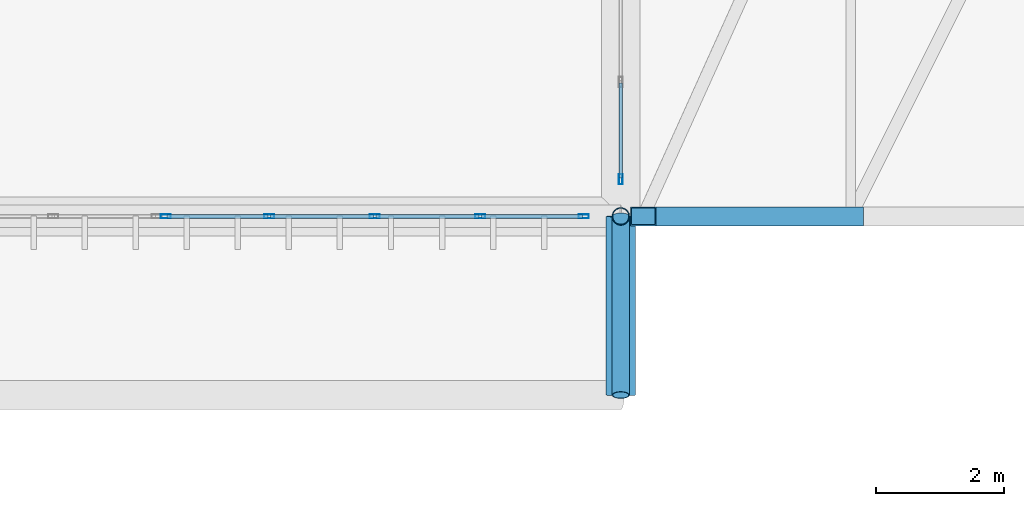
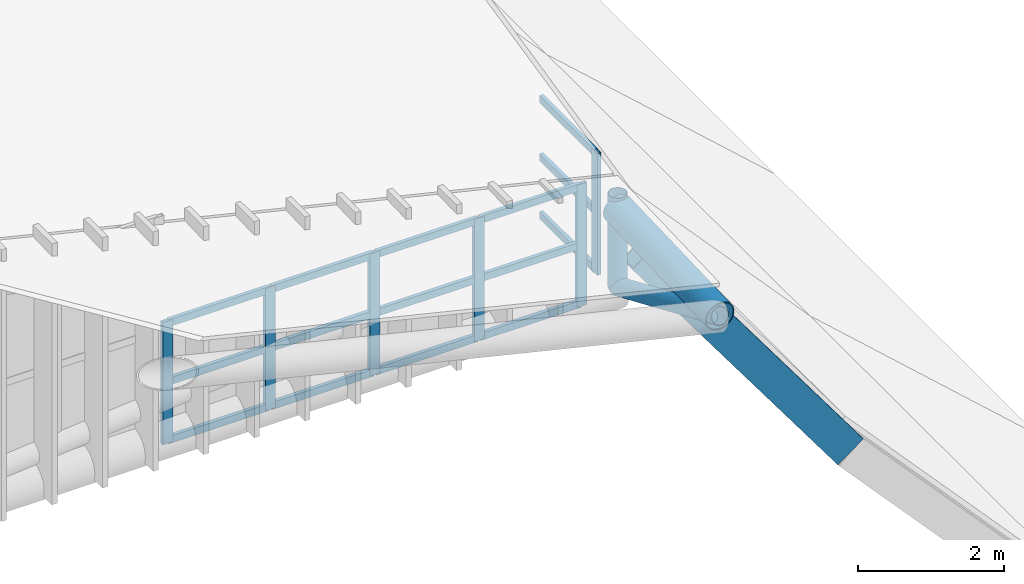
# One storey, part 115 of 397: 23 members, 2 beams, 2 elements without a shape of their own.
"""IFC4 building model written with IfcOpenShell, lengths in metres."""

from ifc_helpers import new_model, si_unit, direction, frame, origin, origin_2d, place, context, subcontext, project, spatial, hollow_rectangle, hollow_circle, extrude, material, material_profile, profile_set, type_object, element, aggregate, save


model = new_model("IFC4")

# Units and contexts
model_context = context("Model", 3, precision=1e-05, world=origin(), true_north=direction((0.0, 1.0)))
body_context = subcontext(model_context, "Body", "Model", "MODEL_VIEW")
ifc_project = project(units=[si_unit("LENGTHUNIT", "METRE"), si_unit("AREAUNIT", "SQUARE_METRE"), si_unit("VOLUMEUNIT", "CUBIC_METRE"), si_unit("PLANEANGLEUNIT", "RADIAN"), si_unit("MASSUNIT", "GRAM", prefix="KILO")], contexts=[model_context])

# Site, building, storey
site_placement = place(None, origin())
site = spatial("IfcSite", under=ifc_project, at=site_placement, CompositionType="ELEMENT")
building_placement = place(site_placement, origin())
building = spatial("IfcBuilding", under=site, at=building_placement, Name="Qandorah Velis Arena", CompositionType="ELEMENT")
storey_placement = place(building_placement, frame((0.0, 0.0, 27.5)))
storey = spatial("IfcBuildingStorey", under=building, at=storey_placement, Name="RF", CompositionType="ELEMENT", Elevation=27.5)

# Curtain wall, member
ifc_material_1 = material(Name="Solar-control low-E double glazing", Category="glass")
curtain_wall_type_1 = type_object("IfcCurtainWallType", Name="ARC-CW-SYS09", PredefinedType="USERDEFINED", material=ifc_material_1)
curtain_wall_1_placement = place(storey_placement, origin())
curtain_wall_1 = element("IfcCurtainWall", 1, at=curtain_wall_1_placement, inside=storey, type_object=curtain_wall_type_1, Name="Unitised curtain wall CROWN-2-01S1", ObjectType="UNITISED CURTAIN WALL", PredefinedType="USERDEFINED")
ifc_material_2 = material(Name="Champagne-bronze anodized aluminium 6063-T6", Category="aluminium")
ifc_material_profile_1 = material_profile(ifc_material_2, hollow_rectangle(XDim=0.06005859375, YDim=0.159912109375, WallThickness=0.00341796875, at=origin_2d()), Name="ALU MULLION 60x160")
ifc_profile_set_1 = profile_set([ifc_material_profile_1], Name="Champagne-bronze anodized aluminium 6063-T6")
member_type_1 = type_object("IfcMemberType", Name="ARC-CWM-160", PredefinedType="MULLION", material=ifc_profile_set_1)
member_1_placement = place(storey_placement, frame((115.199951171875, 14.97998046875, -0.014892578125), z_axis=(0.0, 0.0, 1.0), x_axis=(-1.0, 0.0, 0.0)))
member_1 = element("IfcMember", 2, at=member_1_placement, type_object=member_type_1, Name="CW09 mullion 1", PredefinedType="MULLION", context=body_context, shape_type="SweptSolid", body=[
    extrude(hollow_rectangle(XDim=0.06005859375, YDim=0.159912109375, WallThickness=0.00341796875, at=origin_2d()), origin(), (0.0, 0.0, 1.0), 2.03271484375),
])

# Curtain wall, members
curtain_wall_type_2 = type_object("IfcCurtainWallType", Name="ARC-CW-SYS24", PredefinedType="USERDEFINED", material=ifc_material_1)
curtain_wall_2_placement = place(storey_placement, origin())
curtain_wall_2 = element("IfcCurtainWall", 3, at=curtain_wall_2_placement, inside=storey, type_object=curtain_wall_type_2, Name="Unitised curtain wall CROWN-3-07S2", ObjectType="UNITISED CURTAIN WALL", PredefinedType="USERDEFINED")
member_2_placement = place(storey_placement, frame((108.070068359375, 14.39990234375, -0.014892578125), z_axis=(0.0, 0.0, 1.0), x_axis=(0.0, 1.0, 0.0)))
member_2 = element("IfcMember", 4, at=member_2_placement, type_object=member_type_1, Name="CW24 mullion 1", PredefinedType="MULLION", context=body_context, shape_type="SweptSolid", body=[
    extrude(hollow_rectangle(XDim=0.06005859375, YDim=0.159912109375, WallThickness=0.00341796875, at=origin_2d()), origin(), (0.0, 0.0, 1.0), 2.04541015625),
])
member_3_placement = place(storey_placement, frame((109.6923828125, 14.39990234375, -0.014892578125), z_axis=(0.0, 0.0, 1.0), x_axis=(0.0, 1.0, 0.0)))
member_3 = element("IfcMember", 5, at=member_3_placement, type_object=member_type_1, Name="CW24 mullion 2", PredefinedType="MULLION", context=body_context, shape_type="SweptSolid", body=[
    extrude(hollow_rectangle(XDim=0.06005859375, YDim=0.159912109375, WallThickness=0.00341796875, at=origin_2d()), origin(), (0.0, 0.0, 1.0), 2.04541015625),
])
member_4_placement = place(storey_placement, frame((111.344970703125, 14.39990234375, -0.014892578125), z_axis=(0.0, 0.0, 1.0), x_axis=(0.0, 1.0, 0.0)))
member_4 = element("IfcMember", 6, at=member_4_placement, type_object=member_type_1, Name="CW24 mullion 3", PredefinedType="MULLION", context=body_context, shape_type="SweptSolid", body=[
    extrude(hollow_rectangle(XDim=0.06005859375, YDim=0.159912109375, WallThickness=0.00341796875, at=origin_2d()), origin(), (0.0, 0.0, 1.0), 2.04541015625),
])
member_5_placement = place(storey_placement, frame((112.99755859375, 14.39990234375, -0.014892578125), z_axis=(0.0, 0.0, 1.0), x_axis=(0.0, 1.0, 0.0)))
member_5 = element("IfcMember", 7, at=member_5_placement, type_object=member_type_1, Name="CW24 mullion 4", PredefinedType="MULLION", context=body_context, shape_type="SweptSolid", body=[
    extrude(hollow_rectangle(XDim=0.06005859375, YDim=0.159912109375, WallThickness=0.00341796875, at=origin_2d()), origin(), (0.0, 0.0, 1.0), 2.04541015625),
])
member_6_placement = place(storey_placement, frame((114.6201171875, 14.39990234375, -0.014892578125), z_axis=(0.0, 0.0, 1.0), x_axis=(0.0, 1.0, 0.0)))
member_6 = element("IfcMember", 8, at=member_6_placement, type_object=member_type_1, Name="CW24 mullion 5", PredefinedType="MULLION", context=body_context, shape_type="SweptSolid", body=[
    extrude(hollow_rectangle(XDim=0.06005859375, YDim=0.159912109375, WallThickness=0.00341796875, at=origin_2d()), origin(), (0.0, 0.0, 1.0), 2.04541015625),
])

# Member
ifc_material_profile_2 = material_profile(ifc_material_2, hollow_rectangle(XDim=0.06005859375, YDim=0.1201171875, WallThickness=0.0029296875, at=origin_2d()), Name="ALU TRANSOM 60x120")
ifc_profile_set_2 = profile_set([ifc_material_profile_2], Name="Champagne-bronze anodized aluminium 6063-T6")
member_type_2 = type_object("IfcMemberType", Name="ARC-CWT-120", PredefinedType="USERDEFINED", material=ifc_profile_set_2)
member_7_placement = place(storey_placement, frame((115.199951171875, 14.998046875, 0.030029296875), z_axis=(0.0, 1.0, 0.0), x_axis=(-1.0, 0.0, 0.0)))
member_7 = element("IfcMember", 9, at=member_7_placement, type_object=member_type_2, Name="CW09 transom 1.1", ObjectType="TRANSOM", PredefinedType="USERDEFINED", context=body_context, shape_type="SweptSolid", body=[
    extrude(hollow_rectangle(XDim=0.06005859375, YDim=0.1201171875, WallThickness=0.0029296875, at=origin_2d()), origin(), (0.0, 0.0, 1.0), 1.490234375),
])

member_8_placement = place(storey_placement, frame((115.199951171875, 14.998046875, 1.00146484375), z_axis=(0.0, 1.0, 0.0), x_axis=(-1.0, 0.0, 0.0)))
member_8 = element("IfcMember", 10, at=member_8_placement, type_object=member_type_2, Name="CW09 transom 1.2", ObjectType="TRANSOM", PredefinedType="USERDEFINED", context=body_context, shape_type="SweptSolid", body=[
    extrude(hollow_rectangle(XDim=0.06005859375, YDim=0.1201171875, WallThickness=0.0029296875, at=origin_2d()), origin(), (0.0, 0.0, 1.0), 1.490234375),
])

member_9_placement = place(storey_placement, frame((115.199951171875, 14.998046875, 1.972900390625), z_axis=(0.0, 1.0, 0.0), x_axis=(-1.0, 0.0, 0.0)))
member_9 = element("IfcMember", 11, at=member_9_placement, type_object=member_type_2, Name="CW09 transom 1.3", ObjectType="TRANSOM", PredefinedType="USERDEFINED", context=body_context, shape_type="SweptSolid", body=[
    extrude(hollow_rectangle(XDim=0.06005859375, YDim=0.1201171875, WallThickness=0.0029296875, at=origin_2d()), origin(), (0.0, 0.0, 1.0), 1.490234375),
])

aggregate(curtain_wall_1, [member_1, member_7, member_8, member_9])

member_10_placement = place(storey_placement, frame((108.087890625, 14.39990234375, 0.030029296875), z_axis=(1.0, 0.0, 0.0), x_axis=(0.0, 1.0, 0.0)))
member_10 = element("IfcMember", 12, at=member_10_placement, type_object=member_type_2, Name="CW24 transom 1.1", ObjectType="TRANSOM", PredefinedType="USERDEFINED", context=body_context, shape_type="SweptSolid", body=[
    extrude(hollow_rectangle(XDim=0.06005859375, YDim=0.1201171875, WallThickness=0.0029296875, at=origin_2d()), origin(), (0.0, 0.0, 1.0), 1.586669921875),
])

member_11_placement = place(storey_placement, frame((108.087890625, 14.39990234375, 1.0078125), z_axis=(1.0, 0.0, 0.0), x_axis=(0.0, 1.0, 0.0)))
member_11 = element("IfcMember", 13, at=member_11_placement, type_object=member_type_2, Name="CW24 transom 1.2", ObjectType="TRANSOM", PredefinedType="USERDEFINED", context=body_context, shape_type="SweptSolid", body=[
    extrude(hollow_rectangle(XDim=0.06005859375, YDim=0.1201171875, WallThickness=0.0029296875, at=origin_2d()), origin(), (0.0, 0.0, 1.0), 1.586669921875),
])

member_12_placement = place(storey_placement, frame((108.087890625, 14.39990234375, 1.985595703125), z_axis=(1.0, 0.0, 0.0), x_axis=(0.0, 1.0, 0.0)))
member_12 = element("IfcMember", 14, at=member_12_placement, type_object=member_type_2, Name="CW24 transom 1.3", ObjectType="TRANSOM", PredefinedType="USERDEFINED", context=body_context, shape_type="SweptSolid", body=[
    extrude(hollow_rectangle(XDim=0.06005859375, YDim=0.1201171875, WallThickness=0.0029296875, at=origin_2d()), origin(), (0.0, 0.0, 1.0), 1.586669921875),
])

member_13_placement = place(storey_placement, frame((109.71044921875, 14.39990234375, 0.030029296875), z_axis=(1.0, 0.0, 0.0), x_axis=(0.0, 1.0, 0.0)))
member_13 = element("IfcMember", 15, at=member_13_placement, type_object=member_type_2, Name="CW24 transom 2.1", ObjectType="TRANSOM", PredefinedType="USERDEFINED", context=body_context, shape_type="SweptSolid", body=[
    extrude(hollow_rectangle(XDim=0.06005859375, YDim=0.1201171875, WallThickness=0.0029296875, at=origin_2d()), origin(), (0.0, 0.0, 1.0), 1.616455078125),
])

member_14_placement = place(storey_placement, frame((109.71044921875, 14.39990234375, 1.0078125), z_axis=(1.0, 0.0, 0.0), x_axis=(0.0, 1.0, 0.0)))
member_14 = element("IfcMember", 16, at=member_14_placement, type_object=member_type_2, Name="CW24 transom 2.2", ObjectType="TRANSOM", PredefinedType="USERDEFINED", context=body_context, shape_type="SweptSolid", body=[
    extrude(hollow_rectangle(XDim=0.06005859375, YDim=0.1201171875, WallThickness=0.0029296875, at=origin_2d()), origin(), (0.0, 0.0, 1.0), 1.616455078125),
])

member_15_placement = place(storey_placement, frame((109.71044921875, 14.39990234375, 1.985595703125), z_axis=(1.0, 0.0, 0.0), x_axis=(0.0, 1.0, 0.0)))
member_15 = element("IfcMember", 17, at=member_15_placement, type_object=member_type_2, Name="CW24 transom 2.3", ObjectType="TRANSOM", PredefinedType="USERDEFINED", context=body_context, shape_type="SweptSolid", body=[
    extrude(hollow_rectangle(XDim=0.06005859375, YDim=0.1201171875, WallThickness=0.0029296875, at=origin_2d()), origin(), (0.0, 0.0, 1.0), 1.616455078125),
])

member_16_placement = place(storey_placement, frame((111.363037109375, 14.39990234375, 0.030029296875), z_axis=(1.0, 0.0, 0.0), x_axis=(0.0, 1.0, 0.0)))
member_16 = element("IfcMember", 18, at=member_16_placement, type_object=member_type_2, Name="CW24 transom 3.1", ObjectType="TRANSOM", PredefinedType="USERDEFINED", context=body_context, shape_type="SweptSolid", body=[
    extrude(hollow_rectangle(XDim=0.06005859375, YDim=0.1201171875, WallThickness=0.0029296875, at=origin_2d()), origin(), (0.0, 0.0, 1.0), 1.616455078125),
])

member_17_placement = place(storey_placement, frame((111.363037109375, 14.39990234375, 1.0078125), z_axis=(1.0, 0.0, 0.0), x_axis=(0.0, 1.0, 0.0)))
member_17 = element("IfcMember", 19, at=member_17_placement, type_object=member_type_2, Name="CW24 transom 3.2", ObjectType="TRANSOM", PredefinedType="USERDEFINED", context=body_context, shape_type="SweptSolid", body=[
    extrude(hollow_rectangle(XDim=0.06005859375, YDim=0.1201171875, WallThickness=0.0029296875, at=origin_2d()), origin(), (0.0, 0.0, 1.0), 1.616455078125),
])

member_18_placement = place(storey_placement, frame((111.363037109375, 14.39990234375, 1.985595703125), z_axis=(1.0, 0.0, 0.0), x_axis=(0.0, 1.0, 0.0)))
member_18 = element("IfcMember", 20, at=member_18_placement, type_object=member_type_2, Name="CW24 transom 3.3", ObjectType="TRANSOM", PredefinedType="USERDEFINED", context=body_context, shape_type="SweptSolid", body=[
    extrude(hollow_rectangle(XDim=0.06005859375, YDim=0.1201171875, WallThickness=0.0029296875, at=origin_2d()), origin(), (0.0, 0.0, 1.0), 1.616455078125),
])

member_19_placement = place(storey_placement, frame((113.015380859375, 14.39990234375, 0.030029296875), z_axis=(1.0, 0.0, 0.0), x_axis=(0.0, 1.0, 0.0)))
member_19 = element("IfcMember", 21, at=member_19_placement, type_object=member_type_2, Name="CW24 transom 4.1", ObjectType="TRANSOM", PredefinedType="USERDEFINED", context=body_context, shape_type="SweptSolid", body=[
    extrude(hollow_rectangle(XDim=0.06005859375, YDim=0.1201171875, WallThickness=0.0029296875, at=origin_2d()), origin(), (0.0, 0.0, 1.0), 1.586669921875),
])

member_20_placement = place(storey_placement, frame((113.015380859375, 14.39990234375, 1.0078125), z_axis=(1.0, 0.0, 0.0), x_axis=(0.0, 1.0, 0.0)))
member_20 = element("IfcMember", 22, at=member_20_placement, type_object=member_type_2, Name="CW24 transom 4.2", ObjectType="TRANSOM", PredefinedType="USERDEFINED", context=body_context, shape_type="SweptSolid", body=[
    extrude(hollow_rectangle(XDim=0.06005859375, YDim=0.1201171875, WallThickness=0.0029296875, at=origin_2d()), origin(), (0.0, 0.0, 1.0), 1.586669921875),
])

member_21_placement = place(storey_placement, frame((113.015380859375, 14.39990234375, 1.985595703125), z_axis=(1.0, 0.0, 0.0), x_axis=(0.0, 1.0, 0.0)))
member_21 = element("IfcMember", 23, at=member_21_placement, type_object=member_type_2, Name="CW24 transom 4.3", ObjectType="TRANSOM", PredefinedType="USERDEFINED", context=body_context, shape_type="SweptSolid", body=[
    extrude(hollow_rectangle(XDim=0.06005859375, YDim=0.1201171875, WallThickness=0.0029296875, at=origin_2d()), origin(), (0.0, 0.0, 1.0), 1.586669921875),
])

aggregate(curtain_wall_2, [member_2, member_3, member_4, member_5, member_6, member_10, member_11, member_12, member_13, member_14, member_15, member_16, member_17, member_18, member_19, member_20, member_21])

# Beams
ifc_material_3 = material(Name="Steel S355", Category="steel")
ifc_material_profile_3 = material_profile(ifc_material_3, hollow_rectangle(XDim=0.300048828125, YDim=0.5, WallThickness=0.02001953125, at=origin_2d()), Name="RHS 500x300x20")
ifc_profile_set_3 = profile_set([ifc_material_profile_3], Name="Steel S355")
beam_type_1 = type_object("IfcBeamType", Name="STR-CRB-RHS500", PredefinedType="USERDEFINED", material=ifc_profile_set_3)
beam_1_placement = place(storey_placement, frame((115.550048828125, 14.39990234375, 0.562744140625), z_axis=(0.593780108207, 0.0, -0.804627356667), x_axis=(0.0, 1.0, 0.0)))
element("IfcBeam", 24, at=beam_1_placement, inside=storey, type_object=beam_type_1, Name="Sweeping canopy rib CRB-1.01", ObjectType="ROOF TRUSS", PredefinedType="USERDEFINED", context=body_context, shape_type="SweptSolid", body=[
    extrude(hollow_rectangle(XDim=0.300048828125, YDim=0.5, WallThickness=0.02001953125, at=origin_2d()), origin(), (0.0, 0.0, 1.0), 5.473388671875),
])
ifc_material_profile_4 = material_profile(ifc_material_3, hollow_circle(Radius=0.228515625, WallThickness=0.01611328125, at=origin_2d()), Name="CHS 457x16")
ifc_profile_set_4 = profile_set([ifc_material_profile_4], Name="Steel S355")
beam_type_2 = type_object("IfcBeamType", Name="STR-SFC-CHS457X16", PredefinedType="USERDEFINED", material=ifc_profile_set_4)
beam_2_placement = place(storey_placement, frame((115.199951171875, 14.39990234375, 1.39990234375), z_axis=(0.0, -0.999364629289, -0.035641797469), x_axis=(1.0, 0.0, 0.0)))
element("IfcBeam", 25, at=beam_2_placement, inside=storey, type_object=beam_type_2, Name="Space frame eave outrigger S-7", ObjectType="ROOF TRUSS", PredefinedType="USERDEFINED", context=body_context, shape_type="SweptSolid", body=[
    extrude(hollow_circle(Radius=0.228515625, WallThickness=0.01611328125, at=origin_2d()), origin(), (0.0, 0.0, 1.0), 2.801513671875),
])

# Members
ifc_material_profile_5 = material_profile(ifc_material_3, hollow_circle(Radius=0.136474609375, WallThickness=0.010009765625, at=origin_2d()), Name="CHS 273x10")
ifc_profile_set_5 = profile_set([ifc_material_profile_5], Name="Steel S355")
member_type_3 = type_object("IfcMemberType", Name="STR-SFD-CHS273X10", PredefinedType="STRUT", material=ifc_profile_set_5)
member_22_placement = place(storey_placement, frame((115.199951171875, 14.39990234375, 0.10009765625), z_axis=(0.0, 0.0, 1.0), x_axis=(1.0, 0.0, 0.0)))
element("IfcMember", 26, at=member_22_placement, inside=storey, type_object=member_type_3, Name="Space frame roof vertical post 7.0", PredefinedType="STRUT", context=body_context, shape_type="SweptSolid", body=[
    extrude(hollow_circle(Radius=0.136474609375, WallThickness=0.010009765625, at=origin_2d()), origin(), (0.0, 0.0, 1.0), 1.559814453125),
])
ifc_material_profile_6 = material_profile(ifc_material_3, hollow_circle(Radius=0.136474609375, WallThickness=0.012451171875, at=origin_2d()), Name="CHS 273x12.5")
ifc_profile_set_6 = profile_set([ifc_material_profile_6], Name="Steel S355")
member_type_4 = type_object("IfcMemberType", Name="STR-SFD-CHS273X12", PredefinedType="STRUT", material=ifc_profile_set_6)
member_23_placement = place(storey_placement, frame((115.199951171875, 14.39990234375, 0.10009765625), z_axis=(0.0, -0.919140884365, 0.39392897163), x_axis=(1.0, 0.0, 0.0)))
element("IfcMember", 27, at=member_23_placement, inside=storey, type_object=member_type_4, Name="Space frame eave raking strut S-7", PredefinedType="STRUT", context=body_context, shape_type="SweptSolid", body=[
    extrude(hollow_circle(Radius=0.136474609375, WallThickness=0.012451171875, at=origin_2d()), origin(), (0.0, 0.0, 1.0), 3.046142578125),
])

save(model, "model.ifc")
